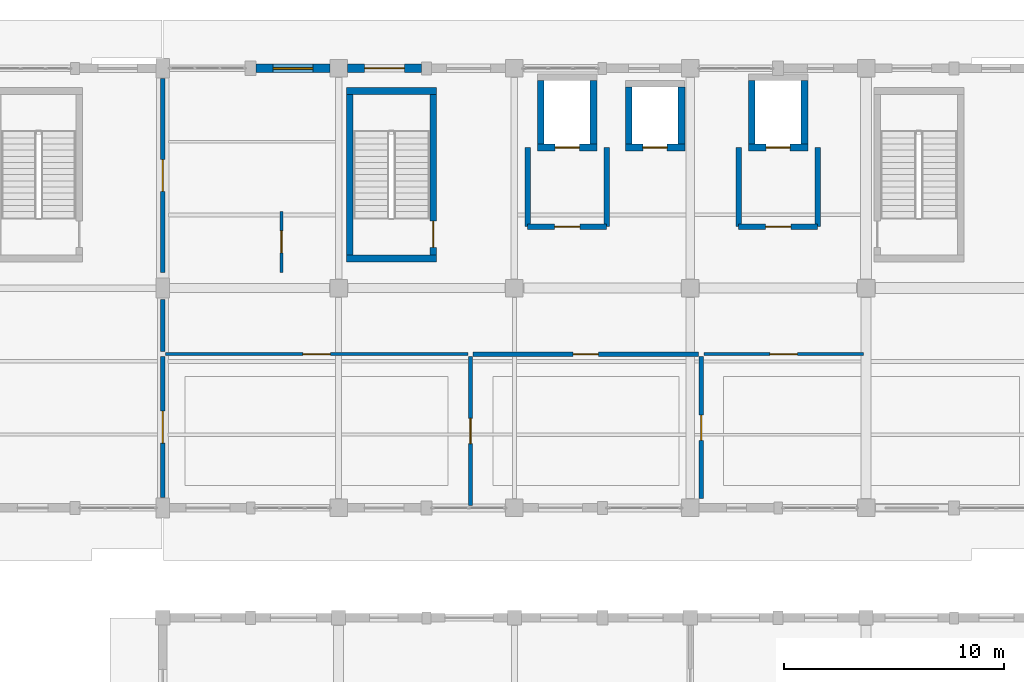
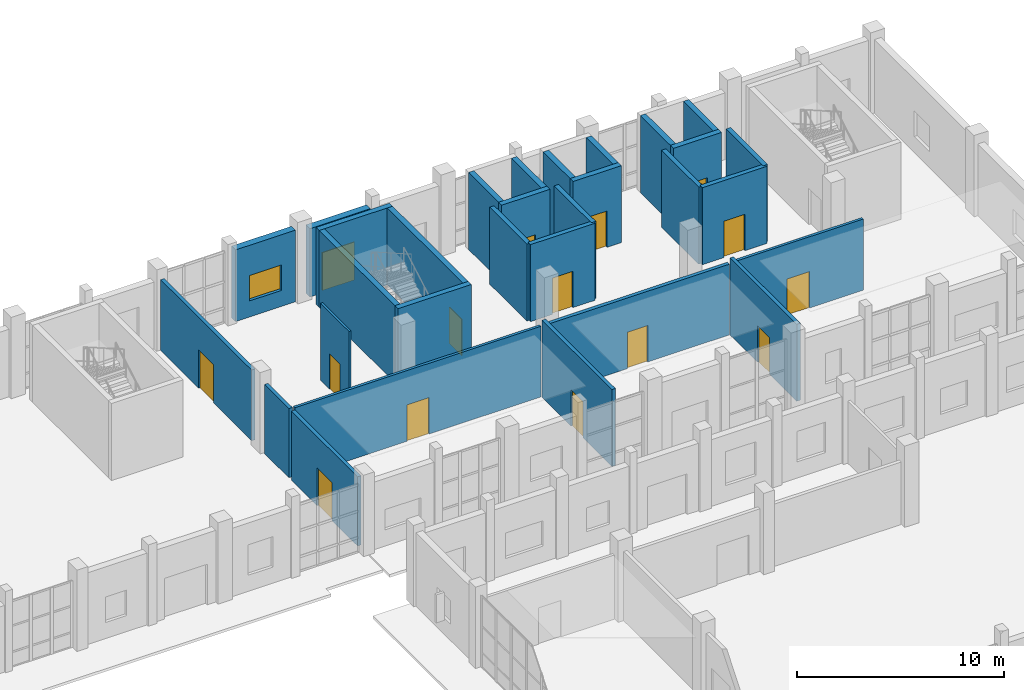
# One storey, part 132 of 156: 30 walls, 15 doors, 1 window, 16 openings.
"""IFC4 building model written with IfcOpenShell, lengths in metres."""

from ifc_helpers import new_model, si_unit, direction, frame, frame_2d, origin, place, context, subcontext, project, spatial, rectangle, extrude, material, layer, layer_set, type_object, element, fill, save


model = new_model("IFC4")

# Units and contexts
model_context = context("Model", 3, precision=1e-05, world=origin(), true_north=direction((0.0, 1.0)))
body_context = subcontext(model_context, "Body", "Model", "MODEL_VIEW")
ifc_project = project(units=[si_unit("LENGTHUNIT", "METRE"), si_unit("AREAUNIT", "SQUARE_METRE"), si_unit("VOLUMEUNIT", "CUBIC_METRE"), si_unit("PLANEANGLEUNIT", "RADIAN"), si_unit("MASSUNIT", "GRAM", prefix="KILO")], contexts=[model_context])

# Site, building, storey
site_placement = place(None, origin())
site = spatial("IfcSite", under=ifc_project, at=site_placement, CompositionType="ELEMENT")
building_placement = place(site_placement, origin())
building = spatial("IfcBuilding", under=site, at=building_placement, Name="Luwemba Playhouse", CompositionType="ELEMENT")
storey_placement = place(building_placement, origin())
storey = spatial("IfcBuildingStorey", under=building, at=storey_placement, Name="L00", CompositionType="ELEMENT", Elevation=0.0)

# Wall, opening, window
ifc_material_1 = material(Name="Clay facing brick obra vista masonry", Category="masonry")
ifc_layer_1 = layer(ifc_material_1, 0.3798828125)
ifc_layer_set_1 = layer_set([ifc_layer_1], Name="Clay facing brick obra vista masonry")
wall_type_1 = type_object("IfcWallType", Name="WAL-BRK-380", PredefinedType="SOLIDWALL", material=ifc_layer_set_1)
wall_1_placement = place(storey_placement, frame((136.25, 115.0, 0.0), z_axis=(0.0, 0.0, 1.0), x_axis=(1.0, 0.0, 0.0)))
wall_1 = element("IfcWall", 1, at=wall_1_placement, inside=storey, type_object=wall_type_1, Name="L00 V6E exterior facade wall 0116", PredefinedType="SOLIDWALL", context=body_context, shape_type="SweptSolid", body=[
    extrude(rectangle(XDim=3.35009765625, YDim=0.3798828125, at=frame_2d((1.675048828125, 0.0))), origin(), (0.0, 0.0, 1.0), 4.235107421875),
])
opening_1_placement = place(wall_1_placement, frame((0.77490234375, 0.0, 0.949951171875)))
opening_1 = element("IfcOpeningElement", 2, at=opening_1_placement, cuts=wall_1, Name="Opening WN-10", PredefinedType="OPENING", context=body_context, shape_type="SweptSolid", body=[
    extrude(rectangle(XDim=1.800048828125, YDim=1.5, at=frame_2d((0.89990234375, 0.75))), frame((0.0, 0.199951171875, 0.0), z_axis=(0.0, -1.0, 0.0), x_axis=(1.0, 0.0, 0.0)), (0.0, 0.0, 1.0), 0.39990234375),
])
ifc_material_2 = material(Name="Solar-control double glazing in aluminium frame", Category="aluminium")
window_type = type_object("IfcWindowType", Name="WIN-WN-10", PartitioningType="DOUBLE_PANEL_VERTICAL", PredefinedType="WINDOW", material=ifc_material_2)
window_placement = place(opening_1_placement, origin())
window = element("IfcWindow", 3, at=window_placement, inside=storey, type_object=window_type, Name="L00 V6E scheduled window 0075", OverallHeight=1.5, OverallWidth=1.800048828125, PartitioningType="DOUBLE_PANEL_VERTICAL", PredefinedType="WINDOW", context=body_context, shape_type="SweptSolid", body=[
    extrude(rectangle(XDim=1.800048828125, YDim=1.5, at=frame_2d((0.89990234375, 0.75))), frame((0.0, 0.030029296875, 0.0), z_axis=(0.0, -1.0, 0.0), x_axis=(1.0, 0.0, 0.0)), (0.0, 0.0, 1.0), 0.06005859375),
])
fill(opening_1, window)

# Wall, opening, door
wall_2_placement = place(storey_placement, frame((140.39990234375, 115.0, 0.0), z_axis=(0.0, 0.0, 1.0), x_axis=(1.0, 0.0, 0.0)))
wall_2 = element("IfcWall", 4, at=wall_2_placement, inside=storey, type_object=wall_type_1, Name="L00 V6E exterior facade wall 0117", PredefinedType="SOLIDWALL", context=body_context, shape_type="SweptSolid", body=[
    extrude(rectangle(XDim=3.375, YDim=0.3798828125, at=frame_2d((1.6875, 0.0))), origin(), (0.0, 0.0, 1.0), 4.034912109375),
])
opening_2_placement = place(wall_2_placement, frame((0.78759765625, 0.0, 0.0)))
opening_2 = element("IfcOpeningElement", 5, at=opening_2_placement, cuts=wall_2, Name="Opening E23", PredefinedType="OPENING", context=body_context, shape_type="SweptSolid", body=[
    extrude(rectangle(XDim=1.800048828125, YDim=2.25, at=frame_2d((0.89990234375, 1.125))), frame((0.0, 0.199951171875, 0.0), z_axis=(0.0, -1.0, 0.0), x_axis=(1.0, 0.0, 0.0)), (0.0, 0.0, 1.0), 0.39990234375),
])
ifc_material_3 = material(Name="Architectural bronze-anodised aluminium and glazed leaf", Category="aluminium")
door_type_1 = type_object("IfcDoorType", Name="DR-EXIT-180", OperationType="NOTDEFINED", PredefinedType="DOOR", material=ifc_material_3)
door_1_placement = place(opening_2_placement, origin())
door_1 = element("IfcDoor", 6, at=door_1_placement, inside=storey, type_object=door_type_1, Name="Stair ST-09 final exit discharge door", OperationType="DOUBLE_DOOR_SINGLE_SWING", OverallHeight=2.25, OverallWidth=1.800048828125, PredefinedType="DOOR", context=body_context, shape_type="SweptSolid", body=[
    extrude(rectangle(XDim=1.800048828125, YDim=2.25, at=frame_2d((0.89990234375, 1.125))), frame((0.0, 0.02490234375, 0.0), z_axis=(0.0, -1.0, 0.0), x_axis=(1.0, 0.0, 0.0)), (0.0, 0.0, 1.0), 0.050048828125),
])
fill(opening_2, door_1)

# Walls
ifc_material_4 = material(Name="Concrete C40/50", Category="concrete")
ifc_layer_2 = layer(ifc_material_4, 0.300048828125)
ifc_layer_set_2 = layer_set([ifc_layer_2], Name="Concrete C40/50")
wall_type_2 = type_object("IfcWallType", Name="WAL-CORE-300", PredefinedType="SHEAR", material=ifc_layer_set_2)
for number, where, z_axis, x_axis, name in (
    (7, (140.35009765625, 106.35009765625, 0.0), (0.0, 0.0, 1.0), (1.0, 0.0, 0.0), "L00 ST-09 stair core wall S"),
    (8, (144.449951171875, 113.969970703125, 0.0), (0.0, 0.0, 1.0), (-1.0, 0.0, 0.0), "L00 ST-09 stair core wall N"),
):
    element("IfcWall", number, at=place(storey_placement, frame(where, z_axis=z_axis, x_axis=x_axis)), inside=storey, type_object=wall_type_2, Name=name, PredefinedType="SHEAR", context=body_context, shape_type="SweptSolid", body=[
        extrude(rectangle(XDim=4.099853515625, YDim=0.300048828125, at=frame_2d((2.0498046875, 0.0))), origin(), (0.0, 0.0, 1.0), 4.550048828125),
    ])
wall_3_placement = place(storey_placement, frame((140.5, 106.5, 0.0), z_axis=(0.0, 0.0, 1.0), x_axis=(0.0, 1.0, 0.0)))
element("IfcWall", 9, at=wall_3_placement, inside=storey, type_object=wall_type_2, Name="L00 ST-09 stair core wall W", PredefinedType="SHEAR", context=body_context, shape_type="SweptSolid", body=[
    extrude(rectangle(XDim=7.320068359375, YDim=0.300048828125, at=frame_2d((3.66015625, 0.0))), origin(), (0.0, 0.0, 1.0), 4.550048828125),
])

# Wall, opening, door
wall_4_placement = place(storey_placement, frame((144.300048828125, 113.820068359375, 0.0), z_axis=(0.0, 0.0, 1.0), x_axis=(0.0, -1.0, 0.0)))
wall_4 = element("IfcWall", 10, at=wall_4_placement, inside=storey, type_object=wall_type_2, Name="L00 ST-09 stair core wall E", PredefinedType="SHEAR", context=body_context, shape_type="SweptSolid", body=[
    extrude(rectangle(XDim=7.320068359375, YDim=0.300048828125, at=frame_2d((3.66015625, 0.0))), origin(), (0.0, 0.0, 1.0), 4.550048828125),
])
opening_3_placement = place(wall_4_placement, frame((5.77001953125, 0.0, 0.0)))
opening_3 = element("IfcOpeningElement", 11, at=opening_3_placement, cuts=wall_4, Name="Opening D-STAIR3", PredefinedType="OPENING", context=body_context, shape_type="SweptSolid", body=[
    extrude(rectangle(XDim=1.199951171875, YDim=2.14990234375, at=frame_2d((0.60009765625, 1.074951171875))), frame((0.0, 0.159912109375, 0.0), z_axis=(0.0, -1.0, 0.0), x_axis=(1.0, 0.0, 0.0)), (0.0, 0.0, 1.0), 0.320068359375),
])
ifc_material_5 = material(Name="Hardwood acoustic fire door leaf", Category="wood")
door_type_2 = type_object("IfcDoorType", Name="DR-STAIR-120", OperationType="NOTDEFINED", PredefinedType="DOOR", material=ifc_material_5)
door_2_placement = place(opening_3_placement, origin())
door_2 = element("IfcDoor", 12, at=door_2_placement, inside=storey, type_object=door_type_2, Name="L00 ST-09 protected stair entry door", OperationType="SINGLE_SWING_LEFT", OverallHeight=2.14990234375, OverallWidth=1.199951171875, PredefinedType="DOOR", context=body_context, shape_type="SweptSolid", body=[
    extrude(rectangle(XDim=1.199951171875, YDim=2.14990234375, at=frame_2d((0.60009765625, 1.074951171875))), frame((0.0, 0.02490234375, 0.0), z_axis=(0.0, -1.0, 0.0), x_axis=(1.0, 0.0, 0.0)), (0.0, 0.0, 1.0), 0.050048828125),
])
fill(opening_3, door_2)

wall_5_placement = place(storey_placement, frame((149.050048828125, 111.39990234375, 0.0), z_axis=(0.0, 0.0, 1.0), x_axis=(1.0, 0.0, 0.0)))
wall_5 = element("IfcWall", 13, at=wall_5_placement, inside=storey, type_object=wall_type_2, Name="L00 Lift LF-FF1 shaft wall S", PredefinedType="SHEAR", context=body_context, shape_type="SweptSolid", body=[
    extrude(rectangle(XDim=2.699951171875, YDim=0.300048828125, at=frame_2d((1.35009765625, 0.0))), origin(), (0.0, 0.0, 1.0), 4.550048828125),
])
opening_4_placement = place(wall_5_placement, frame((0.800048828125, 0.0, 0.0)))
opening_4 = element("IfcOpeningElement", 14, at=opening_4_placement, cuts=wall_5, Name="Opening LD-01", PredefinedType="OPENING", context=body_context, shape_type="SweptSolid", body=[
    extrude(rectangle(XDim=1.10009765625, YDim=2.14990234375, at=frame_2d((0.550048828125, 1.074951171875))), frame((0.0, 0.159912109375, 0.0), z_axis=(0.0, -1.0, 0.0), x_axis=(1.0, 0.0, 0.0)), (0.0, 0.0, 1.0), 0.320068359375),
])
ifc_material_6 = material(Name="Stainless steel lift landing doors", Category="steel")
door_type_3 = type_object("IfcDoorType", Name="DR-LIFT-110", OperationType="NOTDEFINED", PredefinedType="DOOR", material=ifc_material_6)
door_3_placement = place(opening_4_placement, origin())
door_3 = element("IfcDoor", 15, at=door_3_placement, inside=storey, type_object=door_type_3, Name="L00 Lift LF-FF1 landing door", OperationType="DOUBLE_DOOR_SLIDING", OverallHeight=2.14990234375, OverallWidth=1.10009765625, PredefinedType="DOOR", context=body_context, shape_type="SweptSolid", body=[
    extrude(rectangle(XDim=1.10009765625, YDim=2.14990234375, at=frame_2d((0.550048828125, 1.074951171875))), frame((0.0, 0.02490234375, 0.0), z_axis=(0.0, -1.0, 0.0), x_axis=(1.0, 0.0, 0.0)), (0.0, 0.0, 1.0), 0.050048828125),
])
fill(opening_4, door_3)

# Walls
for number, where, z_axis, x_axis, name in (
    (16, (149.199951171875, 111.550048828125, 0.0), (0.0, 0.0, 1.0), (0.0, 1.0, 0.0), "L00 Lift LF-FF1 shaft wall W"),
    (17, (151.60009765625, 114.449951171875, 0.0), (0.0, 0.0, 1.0), (0.0, -1.0, 0.0), "L00 Lift LF-FF1 shaft wall E"),
):
    element("IfcWall", number, at=place(storey_placement, frame(where, z_axis=z_axis, x_axis=x_axis)), inside=storey, type_object=wall_type_2, Name=name, PredefinedType="SHEAR", context=body_context, shape_type="SweptSolid", body=[
        extrude(rectangle(XDim=2.89990234375, YDim=0.300048828125, at=frame_2d((1.449951171875, 0.0))), origin(), (0.0, 0.0, 1.0), 4.550048828125),
    ])

# Wall, opening, door
wall_6_placement = place(storey_placement, frame((158.64990234375, 111.39990234375, 0.0), z_axis=(0.0, 0.0, 1.0), x_axis=(1.0, 0.0, 0.0)))
wall_6 = element("IfcWall", 18, at=wall_6_placement, inside=storey, type_object=wall_type_2, Name="L00 Lift LF-FF2 shaft wall S", PredefinedType="SHEAR", context=body_context, shape_type="SweptSolid", body=[
    extrude(rectangle(XDim=2.7001953125, YDim=0.300048828125, at=frame_2d((1.35009765625, 0.0))), origin(), (0.0, 0.0, 1.0), 4.550048828125),
])
opening_5_placement = place(wall_6_placement, frame((0.800048828125, 0.0, 0.0)))
opening_5 = element("IfcOpeningElement", 19, at=opening_5_placement, cuts=wall_6, Name="Opening LD-01", PredefinedType="OPENING", context=body_context, shape_type="SweptSolid", body=[
    extrude(rectangle(XDim=1.10009765625, YDim=2.14990234375, at=frame_2d((0.550048828125, 1.074951171875))), frame((0.0, 0.159912109375, 0.0), z_axis=(0.0, -1.0, 0.0), x_axis=(1.0, 0.0, 0.0)), (0.0, 0.0, 1.0), 0.320068359375),
])
door_4_placement = place(opening_5_placement, origin())
door_4 = element("IfcDoor", 20, at=door_4_placement, inside=storey, type_object=door_type_3, Name="L00 Lift LF-FF2 landing door", OperationType="DOUBLE_DOOR_SLIDING", OverallHeight=2.14990234375, OverallWidth=1.10009765625, PredefinedType="DOOR", context=body_context, shape_type="SweptSolid", body=[
    extrude(rectangle(XDim=1.10009765625, YDim=2.14990234375, at=frame_2d((0.550048828125, 1.074951171875))), frame((0.0, 0.02490234375, 0.0), z_axis=(0.0, -1.0, 0.0), x_axis=(1.0, 0.0, 0.0)), (0.0, 0.0, 1.0), 0.050048828125),
])
fill(opening_5, door_4)

# Walls
for number, where, z_axis, x_axis, name in (
    (21, (158.800048828125, 111.550048828125, 0.0), (0.0, 0.0, 1.0), (0.0, 1.0, 0.0), "L00 Lift LF-FF2 shaft wall W"),
    (22, (161.199951171875, 114.449951171875, 0.0), (0.0, 0.0, 1.0), (0.0, -1.0, 0.0), "L00 Lift LF-FF2 shaft wall E"),
):
    element("IfcWall", number, at=place(storey_placement, frame(where, z_axis=z_axis, x_axis=x_axis)), inside=storey, type_object=wall_type_2, Name=name, PredefinedType="SHEAR", context=body_context, shape_type="SweptSolid", body=[
        extrude(rectangle(XDim=2.89990234375, YDim=0.300048828125, at=frame_2d((1.449951171875, 0.0))), origin(), (0.0, 0.0, 1.0), 4.550048828125),
    ])

# Wall, opening, door
wall_7_placement = place(storey_placement, frame((153.050048828125, 111.39990234375, 0.0), z_axis=(0.0, 0.0, 1.0), x_axis=(1.0, 0.0, 0.0)))
wall_7 = element("IfcWall", 23, at=wall_7_placement, inside=storey, type_object=wall_type_2, Name="L00 Lift LF-P6 shaft wall S", PredefinedType="SHEAR", context=body_context, shape_type="SweptSolid", body=[
    extrude(rectangle(XDim=2.699951171875, YDim=0.300048828125, at=frame_2d((1.35009765625, 0.0))), origin(), (0.0, 0.0, 1.0), 4.550048828125),
])
opening_6_placement = place(wall_7_placement, frame((0.800048828125, 0.0, 0.0)))
opening_6 = element("IfcOpeningElement", 24, at=opening_6_placement, cuts=wall_7, Name="Opening LD-01", PredefinedType="OPENING", context=body_context, shape_type="SweptSolid", body=[
    extrude(rectangle(XDim=1.10009765625, YDim=2.14990234375, at=frame_2d((0.550048828125, 1.074951171875))), frame((0.0, 0.159912109375, 0.0), z_axis=(0.0, -1.0, 0.0), x_axis=(1.0, 0.0, 0.0)), (0.0, 0.0, 1.0), 0.320068359375),
])
door_5_placement = place(opening_6_placement, origin())
door_5 = element("IfcDoor", 25, at=door_5_placement, inside=storey, type_object=door_type_3, Name="L00 Lift LF-P6 landing door", OperationType="DOUBLE_DOOR_SLIDING", OverallHeight=2.14990234375, OverallWidth=1.10009765625, PredefinedType="DOOR", context=body_context, shape_type="SweptSolid", body=[
    extrude(rectangle(XDim=1.10009765625, YDim=2.14990234375, at=frame_2d((0.550048828125, 1.074951171875))), frame((0.0, 0.02490234375, 0.0), z_axis=(0.0, -1.0, 0.0), x_axis=(1.0, 0.0, 0.0)), (0.0, 0.0, 1.0), 0.050048828125),
])
fill(opening_6, door_5)

# Walls
for number, where, z_axis, x_axis, name in (
    (26, (153.199951171875, 111.550048828125, 0.0), (0.0, 0.0, 1.0), (0.0, 1.0, 0.0), "L00 Lift LF-P6 shaft wall W"),
    (27, (155.60009765625, 114.14990234375, 0.0), (0.0, 0.0, 1.0), (0.0, -1.0, 0.0), "L00 Lift LF-P6 shaft wall E"),
):
    element("IfcWall", number, at=place(storey_placement, frame(where, z_axis=z_axis, x_axis=x_axis)), inside=storey, type_object=wall_type_2, Name=name, PredefinedType="SHEAR", context=body_context, shape_type="SweptSolid", body=[
        extrude(rectangle(XDim=2.599853515625, YDim=0.300048828125, at=frame_2d((1.2998046875, 0.0))), origin(), (0.0, 0.0, 1.0), 4.550048828125),
    ])

# Wall, opening, door
ifc_layer_3 = layer(ifc_material_4, 0.25)
ifc_layer_set_3 = layer_set([ifc_layer_3], Name="Concrete C40/50")
wall_type_3 = type_object("IfcWallType", Name="WAL-FFL-250", PredefinedType="SOLIDWALL", material=ifc_layer_set_3)
wall_8_placement = place(storey_placement, frame((152.199951171875, 107.800048828125, 0.0), z_axis=(0.0, 0.0, 1.0), x_axis=(-1.0, 0.0, 0.0)))
wall_8 = element("IfcWall", 28, at=wall_8_placement, inside=storey, type_object=wall_type_3, Name="L00 LF-FF1 firefighting lift lobby wall S", PredefinedType="SOLIDWALL", context=body_context, shape_type="SweptSolid", body=[
    extrude(rectangle(XDim=3.599853515625, YDim=0.25, at=frame_2d((1.7998046875, 0.0))), origin(), (0.0, 0.0, 1.0), 4.550048828125),
])
opening_7_placement = place(wall_8_placement, frame((1.22509765625, 0.0, 0.0)))
opening_7 = element("IfcOpeningElement", 29, at=opening_7_placement, cuts=wall_8, Name="Opening D-FD60", PredefinedType="OPENING", context=body_context, shape_type="SweptSolid", body=[
    extrude(rectangle(XDim=1.14990234375, YDim=2.14990234375, at=frame_2d((0.574951171875, 1.074951171875))), frame((0.0, 0.135009765625, 0.0), z_axis=(0.0, -1.0, 0.0), x_axis=(1.0, 0.0, 0.0)), (0.0, 0.0, 1.0), 0.27001953125),
])
ifc_material_7 = material(Name="Hardwood smoke-sealed fire door leaf", Category="wood")
door_type_4 = type_object("IfcDoorType", Name="DR-FFL-115", OperationType="NOTDEFINED", PredefinedType="DOOR", material=ifc_material_7)
door_6_placement = place(opening_7_placement, origin())
door_6 = element("IfcDoor", 30, at=door_6_placement, inside=storey, type_object=door_type_4, Name="L00 LF-FF1 firefighting lobby smoke door", OperationType="SINGLE_SWING_RIGHT", OverallHeight=2.14990234375, OverallWidth=1.14990234375, PredefinedType="DOOR", context=body_context, shape_type="SweptSolid", body=[
    extrude(rectangle(XDim=1.14990234375, YDim=2.14990234375, at=frame_2d((0.574951171875, 1.074951171875))), frame((0.0, 0.02490234375, 0.0), z_axis=(0.0, -1.0, 0.0), x_axis=(1.0, 0.0, 0.0)), (0.0, 0.0, 1.0), 0.050048828125),
])
fill(opening_7, door_6)

# Walls
for number, where, z_axis, x_axis, name in (
    (31, (148.60009765625, 107.800048828125, 0.0), (0.0, 0.0, 1.0), (0.0, 1.0, 0.0), "L00 LF-FF1 firefighting lift lobby wall W"),
    (32, (152.199951171875, 111.39990234375, 0.0), (0.0, 0.0, 1.0), (0.0, -1.0, 0.0), "L00 LF-FF1 firefighting lift lobby wall E"),
):
    element("IfcWall", number, at=place(storey_placement, frame(where, z_axis=z_axis, x_axis=x_axis)), inside=storey, type_object=wall_type_3, Name=name, PredefinedType="SOLIDWALL", context=body_context, shape_type="SweptSolid", body=[
        extrude(rectangle(XDim=3.599853515625, YDim=0.25, at=frame_2d((1.7998046875, 0.0))), origin(), (0.0, 0.0, 1.0), 4.550048828125),
    ])

# Wall, opening, door
wall_9_placement = place(storey_placement, frame((161.800048828125, 107.800048828125, 0.0), z_axis=(0.0, 0.0, 1.0), x_axis=(-1.0, 0.0, 0.0)))
wall_9 = element("IfcWall", 33, at=wall_9_placement, inside=storey, type_object=wall_type_3, Name="L00 LF-FF2 firefighting lift lobby wall S", PredefinedType="SOLIDWALL", context=body_context, shape_type="SweptSolid", body=[
    extrude(rectangle(XDim=3.60009765625, YDim=0.25, at=frame_2d((1.800048828125, 0.0))), origin(), (0.0, 0.0, 1.0), 4.550048828125),
])
opening_8_placement = place(wall_9_placement, frame((1.22509765625, 0.0, 0.0)))
opening_8 = element("IfcOpeningElement", 34, at=opening_8_placement, cuts=wall_9, Name="Opening D-FD60", PredefinedType="OPENING", context=body_context, shape_type="SweptSolid", body=[
    extrude(rectangle(XDim=1.14990234375, YDim=2.14990234375, at=frame_2d((0.574951171875, 1.074951171875))), frame((0.0, 0.135009765625, 0.0), z_axis=(0.0, -1.0, 0.0), x_axis=(1.0, 0.0, 0.0)), (0.0, 0.0, 1.0), 0.27001953125),
])
door_7_placement = place(opening_8_placement, origin())
door_7 = element("IfcDoor", 35, at=door_7_placement, inside=storey, type_object=door_type_4, Name="L00 LF-FF2 firefighting lobby smoke door", OperationType="SINGLE_SWING_LEFT", OverallHeight=2.14990234375, OverallWidth=1.14990234375, PredefinedType="DOOR", context=body_context, shape_type="SweptSolid", body=[
    extrude(rectangle(XDim=1.14990234375, YDim=2.14990234375, at=frame_2d((0.574951171875, 1.074951171875))), frame((0.0, 0.02490234375, 0.0), z_axis=(0.0, -1.0, 0.0), x_axis=(1.0, 0.0, 0.0)), (0.0, 0.0, 1.0), 0.050048828125),
])
fill(opening_8, door_7)

# Walls
for number, where, z_axis, x_axis, name in (
    (36, (158.199951171875, 107.800048828125, 0.0), (0.0, 0.0, 1.0), (0.0, 1.0, 0.0), "L00 LF-FF2 firefighting lift lobby wall W"),
    (37, (161.800048828125, 111.39990234375, 0.0), (0.0, 0.0, 1.0), (0.0, -1.0, 0.0), "L00 LF-FF2 firefighting lift lobby wall E"),
):
    element("IfcWall", number, at=place(storey_placement, frame(where, z_axis=z_axis, x_axis=x_axis)), inside=storey, type_object=wall_type_3, Name=name, PredefinedType="SOLIDWALL", context=body_context, shape_type="SweptSolid", body=[
        extrude(rectangle(XDim=3.599853515625, YDim=0.25, at=frame_2d((1.7998046875, 0.0))), origin(), (0.0, 0.0, 1.0), 4.550048828125),
    ])

# Wall, opening, door
ifc_material_8 = material(Name="Moisture-resistant sanitary partition", Category="gypsum")
ifc_layer_4 = layer(ifc_material_8, 0.1201171875)
ifc_layer_set_4 = layer_set([ifc_layer_4], Name="Moisture-resistant sanitary partition")
wall_type_4 = type_object("IfcWallType", Name="WAL-INT-120", PredefinedType="PARTITIONING", material=ifc_layer_set_4)
wall_10_placement = place(storey_placement, frame((137.39990234375, 105.719970703125, 0.0), z_axis=(0.0, 0.0, 1.0), x_axis=(0.0, 1.0, 0.0)))
wall_10 = element("IfcWall", 38, at=wall_10_placement, inside=storey, type_object=wall_type_4, Name="L00 V6E interior partition 0109", PredefinedType="PARTITIONING", context=body_context, shape_type="SweptSolid", body=[
    extrude(rectangle(XDim=2.760009765625, YDim=0.1201171875, at=frame_2d((1.3798828125, 0.0))), origin(), (0.0, 0.0, 1.0), 4.550048828125),
])
opening_9_placement = place(wall_10_placement, frame((0.8798828125, 0.0, 0.0)))
opening_9 = element("IfcOpeningElement", 39, at=opening_9_placement, cuts=wall_10, Name="Opening D-AWC", PredefinedType="OPENING", context=body_context, shape_type="SweptSolid", body=[
    extrude(rectangle(XDim=1.0, YDim=2.10009765625, at=frame_2d((0.5, 1.050048828125))), frame((0.0, 0.070068359375, 0.0), z_axis=(0.0, -1.0, 0.0), x_axis=(1.0, 0.0, 0.0)), (0.0, 0.0, 1.0), 0.14013671875),
])
ifc_material_9 = material(Name="Accessible WC outward-assisted timber door", Category="wood")
door_type_5 = type_object("IfcDoorType", Name="DR-AWC-100", OperationType="NOTDEFINED", PredefinedType="DOOR", material=ifc_material_9)
door_8_placement = place(opening_9_placement, origin())
door_8 = element("IfcDoor", 40, at=door_8_placement, inside=storey, type_object=door_type_5, Name="L00 Conservatory Ground Public Toilets to Conservatory Ground Accessible WC door", OperationType="SINGLE_SWING_RIGHT", OverallHeight=2.10009765625, OverallWidth=1.0, PredefinedType="DOOR", context=body_context, shape_type="SweptSolid", body=[
    extrude(rectangle(XDim=1.0, YDim=2.10009765625, at=frame_2d((0.5, 1.050048828125))), frame((0.0, 0.02490234375, 0.0), z_axis=(0.0, -1.0, 0.0), x_axis=(1.0, 0.0, 0.0)), (0.0, 0.0, 1.0), 0.050048828125),
])
fill(opening_9, door_8)

ifc_material_10 = material(Name="Acoustic gypsum stud partition", Category="gypsum")
ifc_layer_5 = layer(ifc_material_10, 0.14990234375)
ifc_layer_set_5 = layer_set([ifc_layer_5], Name="Acoustic gypsum stud partition")
wall_type_5 = type_object("IfcWallType", Name="WAL-INT-150", PredefinedType="PARTITIONING", material=ifc_layer_set_5)
wall_11_placement = place(storey_placement, frame((132.1201171875, 102.0, 0.0), z_axis=(0.0, 0.0, 1.0), x_axis=(1.0, 0.0, 0.0)))
wall_11 = element("IfcWall", 41, at=wall_11_placement, inside=storey, type_object=wall_type_5, Name="L00 V6E interior partition 0104", PredefinedType="PARTITIONING", context=body_context, shape_type="SweptSolid", body=[
    extrude(rectangle(XDim=13.759765625, YDim=0.14990234375, at=frame_2d((6.8798828125, 0.0))), origin(), (0.0, 0.0, 1.0), 4.175048828125),
])
opening_10_placement = place(wall_11_placement, frame((6.2548828125, 0.0, 0.0)))
opening_10 = element("IfcOpeningElement", 42, at=opening_10_placement, cuts=wall_11, Name="Opening D-IN1", PredefinedType="OPENING", context=body_context, shape_type="SweptSolid", body=[
    extrude(rectangle(XDim=1.25, YDim=2.14990234375, at=frame_2d((0.625, 1.074951171875))), frame((0.0, 0.0849609375, 0.0), z_axis=(0.0, -1.0, 0.0), x_axis=(1.0, 0.0, 0.0)), (0.0, 0.0, 1.0), 0.169921875),
])
ifc_material_11 = material(Name="Solid hardwood interior door", Category="wood")
door_type_6 = type_object("IfcDoorType", Name="DR-INT-125", OperationType="NOTDEFINED", PredefinedType="DOOR", material=ifc_material_11)
door_9_placement = place(opening_10_placement, origin())
door_9 = element("IfcDoor", 43, at=door_9_placement, inside=storey, type_object=door_type_6, Name="L00 Youth Drama Classroom West to Conservatory Ground Corridor door", OperationType="SINGLE_SWING_LEFT", OverallHeight=2.14990234375, OverallWidth=1.25, PredefinedType="DOOR", context=body_context, shape_type="SweptSolid", body=[
    extrude(rectangle(XDim=1.25, YDim=2.14990234375, at=frame_2d((0.625, 1.074951171875))), frame((0.0, 0.02490234375, 0.0), z_axis=(0.0, -1.0, 0.0), x_axis=(1.0, 0.0, 0.0)), (0.0, 0.0, 1.0), 0.050048828125),
])
fill(opening_10, door_9)

wall_12_placement = place(storey_placement, frame((156.6201171875, 102.0, 0.0), z_axis=(0.0, 0.0, 1.0), x_axis=(1.0, 0.0, 0.0)))
wall_12 = element("IfcWall", 44, at=wall_12_placement, inside=storey, type_object=wall_type_5, Name="L00 V6E interior partition 0106", PredefinedType="PARTITIONING", context=body_context, shape_type="SweptSolid", body=[
    extrude(rectangle(XDim=7.259765625, YDim=0.14990234375, at=frame_2d((3.6298828125, 0.0))), origin(), (0.0, 0.0, 1.0), 4.205078125),
])
opening_11_placement = place(wall_12_placement, frame((3.0048828125, 0.0, 0.0)))
opening_11 = element("IfcOpeningElement", 45, at=opening_11_placement, cuts=wall_12, Name="Opening D-IN1", PredefinedType="OPENING", context=body_context, shape_type="SweptSolid", body=[
    extrude(rectangle(XDim=1.25, YDim=2.14990234375, at=frame_2d((0.625, 1.074951171875))), frame((0.0, 0.0849609375, 0.0), z_axis=(0.0, -1.0, 0.0), x_axis=(1.0, 0.0, 0.0)), (0.0, 0.0, 1.0), 0.169921875),
])
door_10_placement = place(opening_11_placement, origin())
door_10 = element("IfcDoor", 46, at=door_10_placement, inside=storey, type_object=door_type_6, Name="L00 Youth Drama Classroom East to Conservatory Ground Corridor door", OperationType="SINGLE_SWING_LEFT", OverallHeight=2.14990234375, OverallWidth=1.25, PredefinedType="DOOR", context=body_context, shape_type="SweptSolid", body=[
    extrude(rectangle(XDim=1.25, YDim=2.14990234375, at=frame_2d((0.625, 1.074951171875))), frame((0.0, 0.02490234375, 0.0), z_axis=(0.0, -1.0, 0.0), x_axis=(1.0, 0.0, 0.0)), (0.0, 0.0, 1.0), 0.050048828125),
])
fill(opening_11, door_10)

ifc_material_12 = material(Name="Clay acoustic masonry blockwork", Category="masonry")
ifc_layer_6 = layer(ifc_material_12, 0.199951171875)
ifc_layer_set_6 = layer_set([ifc_layer_6], Name="Clay acoustic masonry blockwork")
wall_type_6 = type_object("IfcWallType", Name="WAL-INT-200", PredefinedType="PARTITIONING", material=ifc_layer_set_6)
wall_13_placement = place(storey_placement, frame((132.0, 95.469970703125, 0.0), z_axis=(0.0, 0.0, 1.0), x_axis=(0.0, 1.0, 0.0)))
wall_13 = element("IfcWall", 47, at=wall_13_placement, inside=storey, type_object=wall_type_6, Name="L00 V6E interior partition 0101", PredefinedType="PARTITIONING", context=body_context, shape_type="SweptSolid", body=[
    extrude(rectangle(XDim=6.409912109375, YDim=0.199951171875, at=frame_2d((3.205078125, 0.0))), origin(), (0.0, 0.0, 1.0), 4.0849609375),
])
opening_12_placement = place(wall_13_placement, frame((2.47998046875, 0.0, 0.0)))
opening_12 = element("IfcOpeningElement", 48, at=opening_12_placement, cuts=wall_13, Name="Opening D-REH1", PredefinedType="OPENING", context=body_context, shape_type="SweptSolid", body=[
    extrude(rectangle(XDim=1.449951171875, YDim=2.25, at=frame_2d((0.72509765625, 1.125))), frame((0.0, 0.10986328125, 0.0), z_axis=(0.0, -1.0, 0.0), x_axis=(1.0, 0.0, 0.0)), (0.0, 0.0, 1.0), 0.219970703125),
])
ifc_material_13 = material(Name="Acoustic rehearsal leaf-and-half door", Category="wood")
door_type_7 = type_object("IfcDoorType", Name="DR-REH-145", OperationType="NOTDEFINED", PredefinedType="DOOR", material=ifc_material_13)
door_11_placement = place(opening_12_placement, origin())
door_11 = element("IfcDoor", 49, at=door_11_placement, inside=storey, type_object=door_type_7, Name="L00 Orchestra Rehearsal Hall to Youth Drama Classroom West door", OperationType="SINGLE_SWING_LEFT", OverallHeight=2.25, OverallWidth=1.449951171875, PredefinedType="DOOR", context=body_context, shape_type="SweptSolid", body=[
    extrude(rectangle(XDim=1.449951171875, YDim=2.25, at=frame_2d((0.72509765625, 1.125))), frame((0.0, 0.02490234375, 0.0), z_axis=(0.0, -1.0, 0.0), x_axis=(1.0, 0.0, 0.0)), (0.0, 0.0, 1.0), 0.050048828125),
])
fill(opening_12, door_11)

# Wall
wall_14_placement = place(storey_placement, frame((132.0, 102.1201171875, 0.0), z_axis=(0.0, 0.0, 1.0), x_axis=(0.0, 1.0, 0.0)))
element("IfcWall", 50, at=wall_14_placement, inside=storey, type_object=wall_type_6, Name="L00 V6E interior partition 0102", PredefinedType="PARTITIONING", context=body_context, shape_type="SweptSolid", body=[
    extrude(rectangle(XDim=2.35986328125, YDim=0.199951171875, at=frame_2d((1.179931640625, 0.0))), origin(), (0.0, 0.0, 1.0), 4.0849609375),
])

# Wall, opening, door
wall_15_placement = place(storey_placement, frame((132.0, 105.719970703125, 0.0), z_axis=(0.0, 0.0, 1.0), x_axis=(0.0, 1.0, 0.0)))
wall_15 = element("IfcWall", 51, at=wall_15_placement, inside=storey, type_object=wall_type_6, Name="L00 V6E interior partition 0103", PredefinedType="PARTITIONING", context=body_context, shape_type="SweptSolid", body=[
    extrude(rectangle(XDim=8.81005859375, YDim=0.199951171875, at=frame_2d((4.405029296875, 0.0))), origin(), (0.0, 0.0, 1.0), 4.175048828125),
])
opening_13_placement = place(wall_15_placement, frame((3.679931640625, 0.0, 0.0)))
opening_13 = element("IfcOpeningElement", 52, at=opening_13_placement, cuts=wall_15, Name="Opening D-REH1", PredefinedType="OPENING", context=body_context, shape_type="SweptSolid", body=[
    extrude(rectangle(XDim=1.449951171875, YDim=2.25, at=frame_2d((0.72509765625, 1.125))), frame((0.0, 0.10986328125, 0.0), z_axis=(0.0, -1.0, 0.0), x_axis=(1.0, 0.0, 0.0)), (0.0, 0.0, 1.0), 0.219970703125),
])
door_12_placement = place(opening_13_placement, origin())
door_12 = element("IfcDoor", 53, at=door_12_placement, inside=storey, type_object=door_type_7, Name="L00 Orchestra Rehearsal Hall to Conservatory Ground Public Toilets door", OperationType="SINGLE_SWING_RIGHT", OverallHeight=2.25, OverallWidth=1.449951171875, PredefinedType="DOOR", context=body_context, shape_type="SweptSolid", body=[
    extrude(rectangle(XDim=1.449951171875, YDim=2.25, at=frame_2d((0.72509765625, 1.125))), frame((0.0, 0.02490234375, 0.0), z_axis=(0.0, -1.0, 0.0), x_axis=(1.0, 0.0, 0.0)), (0.0, 0.0, 1.0), 0.050048828125),
])
fill(opening_13, door_12)

wall_16_placement = place(storey_placement, frame((146.0, 95.1201171875, 0.0), z_axis=(0.0, 0.0, 1.0), x_axis=(0.0, 1.0, 0.0)))
wall_16 = element("IfcWall", 54, at=wall_16_placement, inside=storey, type_object=wall_type_6, Name="L00 V6E interior partition 0105", PredefinedType="PARTITIONING", context=body_context, shape_type="SweptSolid", body=[
    extrude(rectangle(XDim=6.759765625, YDim=0.199951171875, at=frame_2d((3.3798828125, 0.0))), origin(), (0.0, 0.0, 1.0), 4.550048828125),
])
opening_14_placement = place(wall_16_placement, frame((2.804931640625, 0.0, 0.0)))
opening_14 = element("IfcOpeningElement", 55, at=opening_14_placement, cuts=wall_16, Name="Opening D-FD60", PredefinedType="OPENING", context=body_context, shape_type="SweptSolid", body=[
    extrude(rectangle(XDim=1.14990234375, YDim=2.14990234375, at=frame_2d((0.574951171875, 1.074951171875))), frame((0.0, 0.10986328125, 0.0), z_axis=(0.0, -1.0, 0.0), x_axis=(1.0, 0.0, 0.0)), (0.0, 0.0, 1.0), 0.219970703125),
])
door_13_placement = place(opening_14_placement, origin())
door_13 = element("IfcDoor", 56, at=door_13_placement, inside=storey, type_object=door_type_4, Name="L00 Youth Drama Classroom West to Conservatory Cloister Entrance Lobby door", OperationType="SINGLE_SWING_RIGHT", OverallHeight=2.14990234375, OverallWidth=1.14990234375, PredefinedType="DOOR", context=body_context, shape_type="SweptSolid", body=[
    extrude(rectangle(XDim=1.14990234375, YDim=2.14990234375, at=frame_2d((0.574951171875, 1.074951171875))), frame((0.0, 0.02490234375, 0.0), z_axis=(0.0, -1.0, 0.0), x_axis=(1.0, 0.0, 0.0)), (0.0, 0.0, 1.0), 0.050048828125),
])
fill(opening_14, door_13)

wall_17_placement = place(storey_placement, frame((156.5, 95.419921875, 0.0), z_axis=(0.0, 0.0, 1.0), x_axis=(0.0, 1.0, 0.0)))
wall_17 = element("IfcWall", 57, at=wall_17_placement, inside=storey, type_object=wall_type_6, Name="L00 V6E interior partition 0107", PredefinedType="PARTITIONING", context=body_context, shape_type="SweptSolid", body=[
    extrude(rectangle(XDim=6.4599609375, YDim=0.199951171875, at=frame_2d((3.22998046875, 0.0))), origin(), (0.0, 0.0, 1.0), 4.550048828125),
])
opening_15_placement = place(wall_17_placement, frame((2.655029296875, 0.0, 0.0)))
opening_15 = element("IfcOpeningElement", 58, at=opening_15_placement, cuts=wall_17, Name="Opening D-FD60", PredefinedType="OPENING", context=body_context, shape_type="SweptSolid", body=[
    extrude(rectangle(XDim=1.14990234375, YDim=2.14990234375, at=frame_2d((0.574951171875, 1.074951171875))), frame((0.0, 0.10986328125, 0.0), z_axis=(0.0, -1.0, 0.0), x_axis=(1.0, 0.0, 0.0)), (0.0, 0.0, 1.0), 0.219970703125),
])
door_14_placement = place(opening_15_placement, origin())
door_14 = element("IfcDoor", 59, at=door_14_placement, inside=storey, type_object=door_type_4, Name="L00 Youth Drama Classroom East to Conservatory Cloister Entrance Lobby door", OperationType="SINGLE_SWING_RIGHT", OverallHeight=2.14990234375, OverallWidth=1.14990234375, PredefinedType="DOOR", context=body_context, shape_type="SweptSolid", body=[
    extrude(rectangle(XDim=1.14990234375, YDim=2.14990234375, at=frame_2d((0.574951171875, 1.074951171875))), frame((0.0, 0.02490234375, 0.0), z_axis=(0.0, -1.0, 0.0), x_axis=(1.0, 0.0, 0.0)), (0.0, 0.0, 1.0), 0.050048828125),
])
fill(opening_15, door_14)

wall_18_placement = place(storey_placement, frame((146.1201171875, 102.0, 0.0), z_axis=(0.0, 0.0, 1.0), x_axis=(1.0, 0.0, 0.0)))
wall_18 = element("IfcWall", 60, at=wall_18_placement, inside=storey, type_object=wall_type_6, Name="L00 V6E interior partition 0108", PredefinedType="PARTITIONING", context=body_context, shape_type="SweptSolid", body=[
    extrude(rectangle(XDim=10.259765625, YDim=0.199951171875, at=frame_2d((5.1298828125, 0.0))), origin(), (0.0, 0.0, 1.0), 4.175048828125),
])
opening_16_placement = place(wall_18_placement, frame((4.554931640625, 0.0, 0.0)))
opening_16 = element("IfcOpeningElement", 61, at=opening_16_placement, cuts=wall_18, Name="Opening D-FD60", PredefinedType="OPENING", context=body_context, shape_type="SweptSolid", body=[
    extrude(rectangle(XDim=1.14990234375, YDim=2.14990234375, at=frame_2d((0.574951171875, 1.074951171875))), frame((0.0, 0.10986328125, 0.0), z_axis=(0.0, -1.0, 0.0), x_axis=(1.0, 0.0, 0.0)), (0.0, 0.0, 1.0), 0.219970703125),
])
door_15_placement = place(opening_16_placement, origin())
door_15 = element("IfcDoor", 62, at=door_15_placement, inside=storey, type_object=door_type_4, Name="L00 Conservatory Ground Corridor to Conservatory Cloister Entrance Lobby door", OperationType="SINGLE_SWING_LEFT", OverallHeight=2.14990234375, OverallWidth=1.14990234375, PredefinedType="DOOR", context=body_context, shape_type="SweptSolid", body=[
    extrude(rectangle(XDim=1.14990234375, YDim=2.14990234375, at=frame_2d((0.574951171875, 1.074951171875))), frame((0.0, 0.02490234375, 0.0), z_axis=(0.0, -1.0, 0.0), x_axis=(1.0, 0.0, 0.0)), (0.0, 0.0, 1.0), 0.050048828125),
])
fill(opening_16, door_15)

save(model, "model.ifc")
